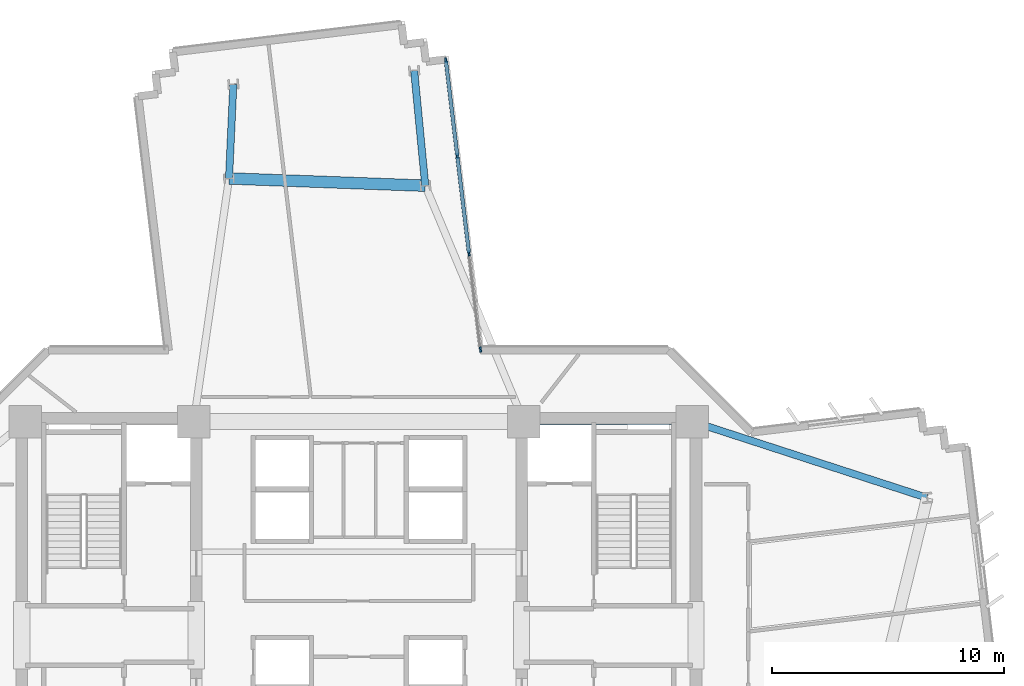
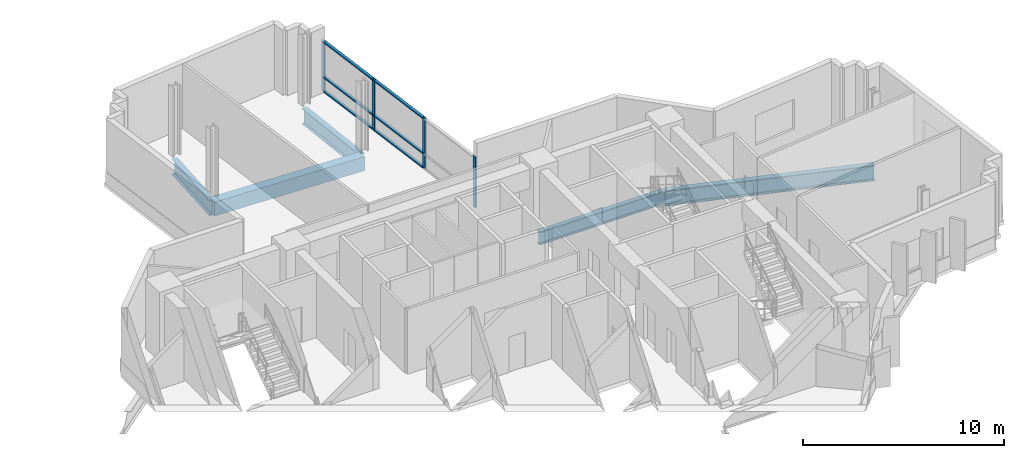
# One storey, part 4 of 15: 10 members, 5 beams, 1 element without a shape of its own.
"""IFC4 building model written with IfcOpenShell, lengths in metres."""

from ifc_helpers import new_model, si_unit, direction, frame, origin, origin_2d, place, context, subcontext, project, spatial, rectangle, i_section, extrude, source, transform, mapped, material, layer, layer_set, material_profile, profile_set, type_object, element, aggregate, save


model = new_model("IFC4")

# Units and contexts
model_context = context("Model", 3, precision=1e-05, world=origin(), true_north=direction((0.0, 1.0)))
body_context = subcontext(model_context, "Body", "Model", "MODEL_VIEW")
ifc_project = project(units=[si_unit("LENGTHUNIT", "METRE"), si_unit("AREAUNIT", "SQUARE_METRE"), si_unit("VOLUMEUNIT", "CUBIC_METRE"), si_unit("PLANEANGLEUNIT", "RADIAN"), si_unit("MASSUNIT", "GRAM", prefix="KILO")], contexts=[model_context])

# Site, building, storey
site_placement = place(None, origin())
site = spatial("IfcSite", under=ifc_project, at=site_placement, CompositionType="ELEMENT")
building_placement = place(site_placement, origin())
building = spatial("IfcBuilding", under=site, at=building_placement, Name="Zahravan Cultural Tower", CompositionType="ELEMENT")
storey_placement = place(building_placement, frame((0.0, 0.0, 108.89990234375)))
storey = spatial("IfcBuildingStorey", under=building, at=storey_placement, Name="L24", CompositionType="ELEMENT", Elevation=108.89990234375)

# Beams
ifc_material_1 = material(Name="Steel ASTM A992 Grade 50", Category="steel")
ifc_material_profile_1 = material_profile(ifc_material_1, i_section(OverallWidth=0.26611328125, OverallDepth=0.780029296875, WebThickness=0.0166015625, FlangeThickness=0.030029296875, FilletRadius=0.01904296875, at=origin_2d()), Name="W30X148")
ifc_profile_set_1 = profile_set([ifc_material_profile_1], Name="Steel ASTM A992 Grade 50")
beam_type_1 = type_object("IfcBeamType", Name="BM-G-W30X148", PredefinedType="BEAM", material=ifc_profile_set_1)
shared_shape_1 = source(origin(), body_context, "Body", "SweptSolid", [
    extrude(i_section(OverallWidth=0.26611328125, OverallDepth=0.780029296875, WebThickness=0.0166015625, FlangeThickness=0.030029296875, FilletRadius=0.01904296875, at=origin_2d()), origin(), (0.0, 0.0, 1.0), 7.25),
])
beam_1_placement = place(storey_placement, frame((43.10009765625, 36.199951171875, -0.639892578125), z_axis=(1.0, 0.0, 0.0), x_axis=(0.0, 1.0, 0.0)))
element("IfcBeam", 1, at=beam_1_placement, inside=storey, type_object=beam_type_1, Name="L24 Beam BG-L24-05", PredefinedType="BEAM", context=body_context, shape_type="MappedRepresentation", body=[
    mapped(shared_shape_1, transform((0.0, 0.0, 0.0), x_axis=(1.0, 0.0, 0.0), y_axis=(0.0, 1.0, 0.0), z_axis=(0.0, 0.0, 1.0), scale=1.0)),
])
ifc_material_profile_2 = material_profile(ifc_material_1, i_section(OverallWidth=0.30908203125, OverallDepth=0.931884765625, WebThickness=0.02099609375, FlangeThickness=0.034423828125, FilletRadius=0.02392578125, at=origin_2d()), Name="W36X210")
ifc_profile_set_2 = profile_set([ifc_material_profile_2], Name="Steel ASTM A992 Grade 50")
beam_type_2 = type_object("IfcBeamType", Name="BM-G-W36X210", PredefinedType="BEAM", material=ifc_profile_set_2)
shared_shape_2 = source(origin(), body_context, "Body", "SweptSolid", [
    extrude(i_section(OverallWidth=0.30908203125, OverallDepth=0.931884765625, WebThickness=0.02099609375, FlangeThickness=0.034423828125, FilletRadius=0.02392578125, at=origin_2d()), origin(), (0.0, 0.0, 1.0), 10.615966796875),
])
beam_2_placement = place(storey_placement, frame((50.35009765625, 36.199951171875, -0.7158203125), z_axis=(0.951063640083, -0.30899506875, 0.0), x_axis=(0.30899506875, 0.951063640083, 0.0)))
element("IfcBeam", 2, at=beam_2_placement, inside=storey, type_object=beam_type_2, Name="L24 Beam BG-L24-11", PredefinedType="BEAM", context=body_context, shape_type="MappedRepresentation", body=[
    mapped(shared_shape_2, transform((0.0, 0.0, 0.0), x_axis=(1.0, 0.0, 0.0), y_axis=(0.0, 1.0, 0.0), z_axis=(0.0, 0.0, 1.0), scale=1.0)),
])
shared_shape_3 = source(origin(), body_context, "Body", "SweptSolid", [
    extrude(i_section(OverallWidth=0.30908203125, OverallDepth=0.931884765625, WebThickness=0.02099609375, FlangeThickness=0.034423828125, FilletRadius=0.02392578125, at=origin_2d()), origin(), (0.0, 0.0, 1.0), 4.973876953125),
])
beam_3_placement = place(storey_placement, frame((38.857421875, 46.346435546875, -0.7158203125), z_axis=(-0.096154779131, 0.995366394073, 0.0), x_axis=(-0.995366394073, -0.096154779131, 0.0)))
element("IfcBeam", 3, at=beam_3_placement, inside=storey, type_object=beam_type_2, Name="L24 Beam BG-L24-15", PredefinedType="BEAM", context=body_context, shape_type="MappedRepresentation", body=[
    mapped(shared_shape_3, transform((0.0, 0.0, 0.0), x_axis=(1.0, 0.0, 0.0), y_axis=(0.0, 1.0, 0.0), z_axis=(0.0, 0.0, 1.0), scale=1.0)),
])
shared_shape_4 = source(origin(), body_context, "Body", "SweptSolid", [
    extrude(i_section(OverallWidth=0.30908203125, OverallDepth=0.931884765625, WebThickness=0.02099609375, FlangeThickness=0.034423828125, FilletRadius=0.02392578125, at=origin_2d()), origin(), (0.0, 0.0, 1.0), 4.0537109375),
])
beam_4_placement = place(storey_placement, frame((30.4150390625, 46.658203125, -0.7158203125), z_axis=(0.045770994677, 0.998951958828, 0.0), x_axis=(-0.998951958828, 0.045770994677, 0.0)))
element("IfcBeam", 4, at=beam_4_placement, inside=storey, type_object=beam_type_2, Name="L24 Beam BG-L24-16", PredefinedType="BEAM", context=body_context, shape_type="MappedRepresentation", body=[
    mapped(shared_shape_4, transform((0.0, 0.0, 0.0), x_axis=(1.0, 0.0, 0.0), y_axis=(0.0, 1.0, 0.0), z_axis=(0.0, 0.0, 1.0), scale=1.0)),
])
ifc_material_2 = material(Name="Concrete C50/60", Category="concrete")
ifc_material_profile_3 = material_profile(ifc_material_2, rectangle(XDim=0.5, YDim=0.85009765625, at=origin_2d()), Name="RC500X850")
ifc_profile_set_3 = profile_set([ifc_material_profile_3], Name="Concrete C50/60")
beam_type_3 = type_object("IfcBeamType", Name="BM-SP-RC500X850", PredefinedType="SPANDREL", material=ifc_profile_set_3)
shared_shape_5 = source(origin(), body_context, "Body", "SweptSolid", [
    extrude(rectangle(XDim=0.5, YDim=0.85009765625, at=origin_2d()), origin(), (0.0, 0.0, 1.0), 8.4482421875),
])
beam_5_placement = place(storey_placement, frame((38.857421875, 46.346435546875, -0.6748046875), z_axis=(-0.999318826256, 0.036903705643, 0.0), x_axis=(-0.036903705643, -0.999318826256, 0.0)))
element("IfcBeam", 5, at=beam_5_placement, inside=storey, type_object=beam_type_3, Name="L24 Beam SP-L24-21", PredefinedType="SPANDREL", context=body_context, shape_type="MappedRepresentation", body=[
    mapped(shared_shape_5, transform((0.0, 0.0, 0.0), x_axis=(1.0, 0.0, 0.0), y_axis=(0.0, 1.0, 0.0), z_axis=(0.0, 0.0, 1.0), scale=1.0)),
])

# Curtain wall, members
ifc_material_3 = material(Name="Anodised bronze-aluminium mullion", Category="aluminium")
ifc_layer = layer(ifc_material_3, 0.219970703125)
ifc_layer_set = layer_set([ifc_layer], Name="Anodised bronze-aluminium mullion")
curtain_wall_type = type_object("IfcCurtainWallType", Name="CW-SYS-1", PredefinedType="USERDEFINED", material=ifc_layer_set)
curtain_wall_placement = place(storey_placement, origin())
curtain_wall = element("IfcCurtainWall", 6, at=curtain_wall_placement, inside=storey, type_object=curtain_wall_type, Name="L24 Recessed Curtain Wall CW-1.2", ObjectType="RECESSED GLAZING", PredefinedType="USERDEFINED")
ifc_material_profile_4 = material_profile(ifc_material_3, rectangle(XDim=0.080078125, YDim=0.219970703125, at=origin_2d()), Name="AL-M80X220")
ifc_profile_set_4 = profile_set([ifc_material_profile_4], Name="Anodised bronze-aluminium mullion")
member_type_1 = type_object("IfcMemberType", Name="CWM-CW-1", PredefinedType="MULLION", material=ifc_profile_set_4)
shared_shape_6 = source(origin(), body_context, "Body", "SweptSolid", [
    extrude(rectangle(XDim=0.080078125, YDim=0.219970703125, at=origin_2d()), origin(), (0.0, 0.0, 1.0), 3.070068359375),
])
member_1_placement = place(storey_placement, frame((39.739990234375, 51.741455078125, 0.0), z_axis=(0.0, 0.0, 1.0), x_axis=(0.992882878226, 0.11909487867, 0.0)))
member_1 = element("IfcMember", 7, at=member_1_placement, type_object=member_type_1, Name="CW-1 mullion 1", PredefinedType="MULLION", context=body_context, shape_type="MappedRepresentation", body=[
    mapped(shared_shape_6, transform((0.0, 0.0, 0.0), x_axis=(1.0, 0.0, 0.0), y_axis=(0.0, 1.0, 0.0), z_axis=(0.0, 0.0, 1.0), scale=1.0)),
])
member_2_placement = place(storey_placement, frame((40.23583984375, 47.607421875, 0.0), z_axis=(0.0, 0.0, 1.0), x_axis=(0.992882878226, 0.11909487867, 0.0)))
member_2 = element("IfcMember", 8, at=member_2_placement, type_object=member_type_1, Name="CW-1 mullion 2", PredefinedType="MULLION", context=body_context, shape_type="MappedRepresentation", body=[
    mapped(shared_shape_6, transform((0.0, 0.0, 0.0), x_axis=(1.0, 0.0, 0.0), y_axis=(0.0, 1.0, 0.0), z_axis=(0.0, 0.0, 1.0), scale=1.0)),
])
member_3_placement = place(storey_placement, frame((40.736572265625, 43.433837890625, 0.0), z_axis=(0.0, 0.0, 1.0), x_axis=(0.992882878226, 0.11909487867, 0.0)))
member_3 = element("IfcMember", 9, at=member_3_placement, type_object=member_type_1, Name="CW-1 mullion 3", PredefinedType="MULLION", context=body_context, shape_type="MappedRepresentation", body=[
    mapped(shared_shape_6, transform((0.0, 0.0, 0.0), x_axis=(1.0, 0.0, 0.0), y_axis=(0.0, 1.0, 0.0), z_axis=(0.0, 0.0, 1.0), scale=1.0)),
])
member_4_placement = place(storey_placement, frame((41.232421875, 39.2998046875, 0.0), z_axis=(0.0, 0.0, 1.0), x_axis=(0.992882878226, 0.11909487867, 0.0)))
member_4 = element("IfcMember", 10, at=member_4_placement, type_object=member_type_1, Name="CW-1 mullion 4", PredefinedType="MULLION", context=body_context, shape_type="MappedRepresentation", body=[
    mapped(shared_shape_6, transform((0.0, 0.0, 0.0), x_axis=(1.0, 0.0, 0.0), y_axis=(0.0, 1.0, 0.0), z_axis=(0.0, 0.0, 1.0), scale=1.0)),
])
ifc_material_profile_5 = material_profile(ifc_material_3, rectangle(XDim=0.159912109375, YDim=0.080078125, at=origin_2d()), Name="AL-T80X160")
ifc_profile_set_5 = profile_set([ifc_material_profile_5], Name="Anodised bronze-aluminium mullion")
member_type_2 = type_object("IfcMemberType", Name="CWT-CW-1", PredefinedType="USERDEFINED", material=ifc_profile_set_5)
shared_shape_7 = source(origin(), body_context, "Body", "SweptSolid", [
    extrude(rectangle(XDim=0.159912109375, YDim=0.080078125, at=origin_2d()), origin(), (0.0, 0.0, 1.0), 4.08349609375),
])
member_5_placement = place(storey_placement, frame((39.74462890625, 51.70166015625, 0.0400390625), z_axis=(0.119095712304, -0.992882778233, 0.0), x_axis=(0.992882778233, 0.119095712304, 0.0)))
member_5 = element("IfcMember", 11, at=member_5_placement, type_object=member_type_2, Name="CW-1 transom 1.1", ObjectType="TRANSOM", PredefinedType="USERDEFINED", context=body_context, shape_type="MappedRepresentation", body=[
    mapped(shared_shape_7, transform((0.0, 0.0, 0.0), x_axis=(1.0, 0.0, 0.0), y_axis=(0.0, 1.0, 0.0), z_axis=(0.0, 0.0, 1.0), scale=1.0)),
])
member_6_placement = place(storey_placement, frame((39.74462890625, 51.70166015625, 0.900146484375), z_axis=(0.119095712304, -0.992882778233, 0.0), x_axis=(0.992882778233, 0.119095712304, 0.0)))
member_6 = element("IfcMember", 12, at=member_6_placement, type_object=member_type_2, Name="CW-1 transom 1.2", ObjectType="TRANSOM", PredefinedType="USERDEFINED", context=body_context, shape_type="MappedRepresentation", body=[
    mapped(shared_shape_7, transform((0.0, 0.0, 0.0), x_axis=(1.0, 0.0, 0.0), y_axis=(0.0, 1.0, 0.0), z_axis=(0.0, 0.0, 1.0), scale=1.0)),
])
member_7_placement = place(storey_placement, frame((39.74462890625, 51.70166015625, 3.030029296875), z_axis=(0.119095712304, -0.992882778233, 0.0), x_axis=(0.992882778233, 0.119095712304, 0.0)))
member_7 = element("IfcMember", 13, at=member_7_placement, type_object=member_type_2, Name="CW-1 transom 1.3", ObjectType="TRANSOM", PredefinedType="USERDEFINED", context=body_context, shape_type="MappedRepresentation", body=[
    mapped(shared_shape_7, transform((0.0, 0.0, 0.0), x_axis=(1.0, 0.0, 0.0), y_axis=(0.0, 1.0, 0.0), z_axis=(0.0, 0.0, 1.0), scale=1.0)),
])
shared_shape_8 = source(origin(), body_context, "Body", "SweptSolid", [
    extrude(rectangle(XDim=0.159912109375, YDim=0.080078125, at=origin_2d()), origin(), (0.0, 0.0, 1.0), 4.123779296875),
])
member_8_placement = place(storey_placement, frame((40.240478515625, 47.56787109375, 0.0400390625), z_axis=(0.11911487242, -0.9928804798, 0.0), x_axis=(0.9928804798, 0.11911487242, 0.0)))
member_8 = element("IfcMember", 14, at=member_8_placement, type_object=member_type_2, Name="CW-1 transom 2.1", ObjectType="TRANSOM", PredefinedType="USERDEFINED", context=body_context, shape_type="MappedRepresentation", body=[
    mapped(shared_shape_8, transform((0.0, 0.0, 0.0), x_axis=(1.0, 0.0, 0.0), y_axis=(0.0, 1.0, 0.0), z_axis=(0.0, 0.0, 1.0), scale=1.0)),
])
member_9_placement = place(storey_placement, frame((40.240478515625, 47.56787109375, 0.900146484375), z_axis=(0.11911487242, -0.9928804798, 0.0), x_axis=(0.9928804798, 0.11911487242, 0.0)))
member_9 = element("IfcMember", 15, at=member_9_placement, type_object=member_type_2, Name="CW-1 transom 2.2", ObjectType="TRANSOM", PredefinedType="USERDEFINED", context=body_context, shape_type="MappedRepresentation", body=[
    mapped(shared_shape_8, transform((0.0, 0.0, 0.0), x_axis=(1.0, 0.0, 0.0), y_axis=(0.0, 1.0, 0.0), z_axis=(0.0, 0.0, 1.0), scale=1.0)),
])
member_10_placement = place(storey_placement, frame((40.240478515625, 47.56787109375, 3.030029296875), z_axis=(0.11911487242, -0.9928804798, 0.0), x_axis=(0.9928804798, 0.11911487242, 0.0)))
member_10 = element("IfcMember", 16, at=member_10_placement, type_object=member_type_2, Name="CW-1 transom 2.3", ObjectType="TRANSOM", PredefinedType="USERDEFINED", context=body_context, shape_type="MappedRepresentation", body=[
    mapped(shared_shape_8, transform((0.0, 0.0, 0.0), x_axis=(1.0, 0.0, 0.0), y_axis=(0.0, 1.0, 0.0), z_axis=(0.0, 0.0, 1.0), scale=1.0)),
])
aggregate(curtain_wall, [member_1, member_2, member_3, member_4, member_5, member_6, member_7, member_8, member_9, member_10])

save(model, "model.ifc")
